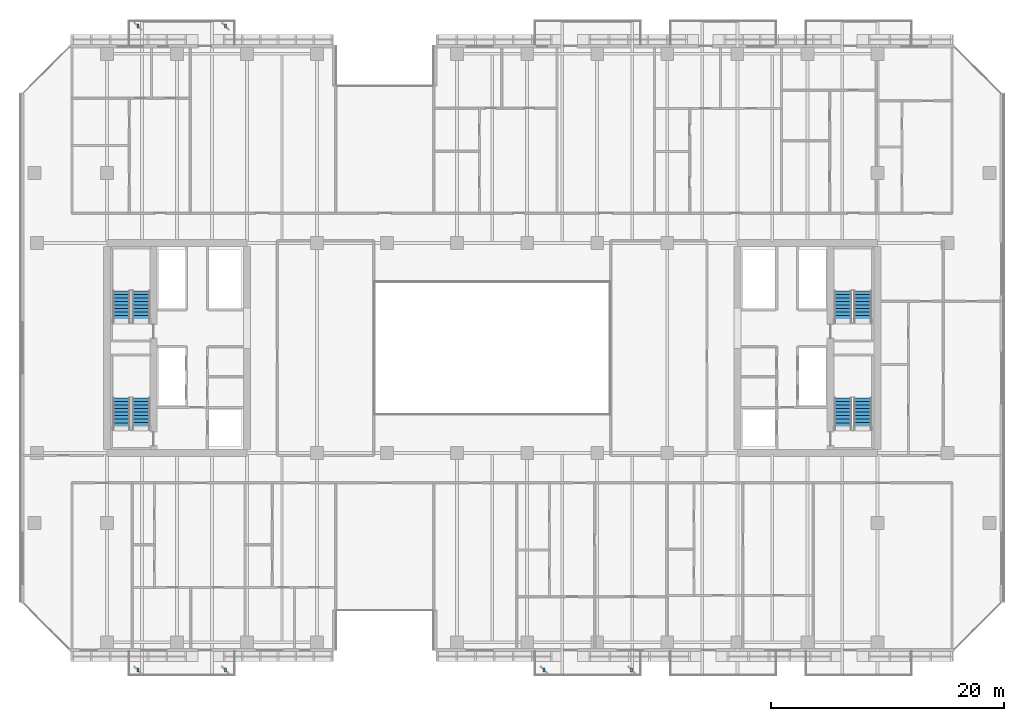
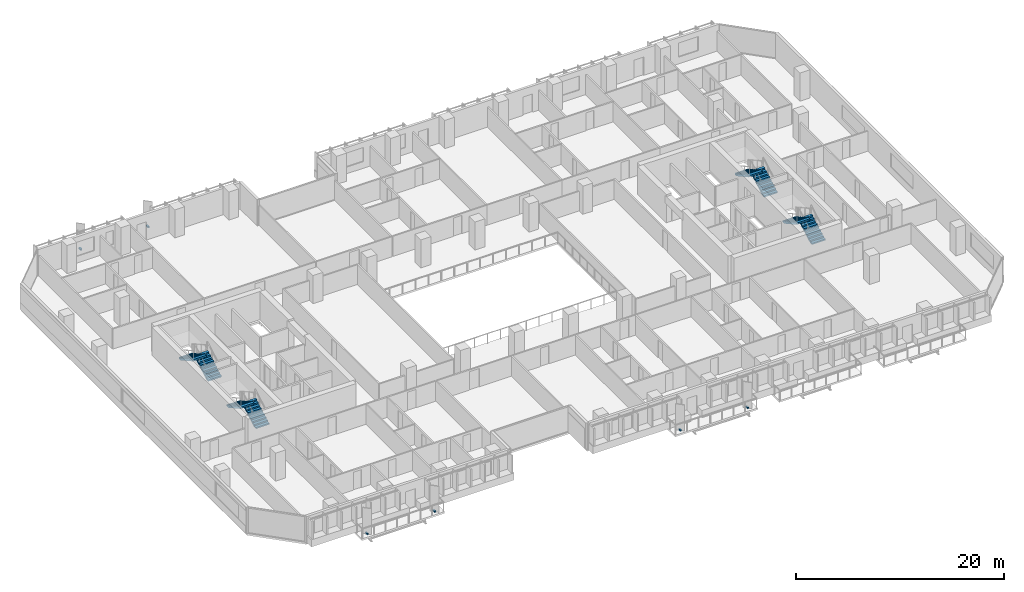
# One storey, part 25 of 34: 8 stair flights, 6 discrete accessories, 4 elements without a shape of their own.
"""IFC4 building model written with IfcOpenShell, lengths in metres."""

from ifc_helpers import new_model, si_unit, direction, frame, origin, origin_2d, place, context, subcontext, project, spatial, polyline, rectangle, outline, extrude, material, type_object, element, aggregate, save


model = new_model("IFC4")

# Units and contexts
model_context = context("Model", 3, precision=1e-05, world=origin(), true_north=direction((0.0, 1.0)))
body_context = subcontext(model_context, "Body", "Model", "MODEL_VIEW")
ifc_project = project(units=[si_unit("LENGTHUNIT", "METRE"), si_unit("AREAUNIT", "SQUARE_METRE"), si_unit("VOLUMEUNIT", "CUBIC_METRE"), si_unit("PLANEANGLEUNIT", "RADIAN"), si_unit("MASSUNIT", "GRAM", prefix="KILO")], contexts=[model_context])

# Site, building, storey
site_placement = place(None, origin())
site = spatial("IfcSite", under=ifc_project, at=site_placement, CompositionType="ELEMENT")
building_placement = place(site_placement, origin())
building = spatial("IfcBuilding", under=site, at=building_placement, Name="Tanjung Sevakor Pilgrim Tower", CompositionType="ELEMENT")
storey_placement = place(building_placement, frame((0.0, 0.0, 55.43994140625)))
storey = spatial("IfcBuildingStorey", under=building, at=storey_placement, Name="L15", CompositionType="ELEMENT", Elevation=55.43994140625)

# Stair, stair flights
ifc_material_1 = material(Name="Concrete C40/50", Category="concrete")
stair_type = type_object("IfcStairType", Name="STAIR-ST-CR150", PredefinedType="HALF_TURN_STAIR", material=ifc_material_1)
stair_1_placement = place(storey_placement, origin())
stair_1 = element("IfcStair", 1, at=stair_1_placement, inside=storey, type_object=stair_type, Name="L15 West Core Exit Stair 1", PredefinedType="HALF_TURN_STAIR")
ifc_material_2 = material(Name="Concrete C40/50", Category="concrete")
stair_flight_type = type_object("IfcStairFlightType", Name="FLIGHT-ST-CR150", PredefinedType="STRAIGHT", material=ifc_material_2)
stair_flight_1_placement = place(storey_placement, frame((26.949951171875, 26.60009765625, 0.0), z_axis=(0.0, 0.0, 1.0), x_axis=(0.0, 1.0, 0.0)))
stair_flight_1 = element("IfcStairFlight", 2, at=stair_flight_1_placement, type_object=stair_flight_type, Name="TS-W1 flight 1", NumberOfRisers=10, NumberOfTreads=9, PredefinedType="STRAIGHT", RiserHeight=0.165, TreadLength=0.3, context=body_context, shape_type="SweptSolid", body=[
    extrude(outline(polyline([(0.0, 0.0), (0.0, 0.1650390625), (0.300048828125, 0.1650390625), (0.300048828125, 0.330078125), (0.60009765625, 0.330078125), (0.60009765625, 0.4951171875), (0.89990234375, 0.4951171875), (0.89990234375, 0.659912109375), (1.199951171875, 0.659912109375), (1.199951171875, 0.824951171875), (1.5, 0.824951171875), (1.5, 0.989990234375), (1.800048828125, 0.989990234375), (1.800048828125, 1.155029296875), (2.10009765625, 1.155029296875), (2.10009765625, 1.320068359375), (2.39990234375, 1.320068359375), (2.39990234375, 1.485107421875), (2.699951171875, 1.485107421875), (2.699951171875, 1.64990234375), (2.699951171875, 1.302490234375), (0.331787109375, 0.0), (0.0, 0.0)])), frame((0.0, 0.75, 0.0), z_axis=(0.0, -1.0, 0.0), x_axis=(1.0, 0.0, 0.0)), (0.0, 0.0, 1.0), 1.5),
])
stair_flight_2_placement = place(storey_placement, frame((25.25, 29.300048828125, 1.650146484375), z_axis=(0.0, 0.0, 1.0), x_axis=(0.0, -1.0, 0.0)))
stair_flight_2 = element("IfcStairFlight", 3, at=stair_flight_2_placement, type_object=stair_flight_type, Name="TS-W1 flight 2", NumberOfRisers=10, NumberOfTreads=9, PredefinedType="STRAIGHT", RiserHeight=0.165, TreadLength=0.3, context=body_context, shape_type="SweptSolid", body=[
    extrude(outline(polyline([(0.0, 0.0), (0.0, 0.1650390625), (0.300048828125, 0.1650390625), (0.300048828125, 0.330078125), (0.60009765625, 0.330078125), (0.60009765625, 0.4951171875), (0.89990234375, 0.4951171875), (0.89990234375, 0.659912109375), (1.199951171875, 0.659912109375), (1.199951171875, 0.824951171875), (1.5, 0.824951171875), (1.5, 0.989990234375), (1.800048828125, 0.989990234375), (1.800048828125, 1.155029296875), (2.10009765625, 1.155029296875), (2.10009765625, 1.320068359375), (2.39990234375, 1.320068359375), (2.39990234375, 1.485107421875), (2.699951171875, 1.485107421875), (2.699951171875, 1.64990234375), (2.699951171875, 1.302490234375), (0.331787109375, 0.0), (0.0, 0.0)])), frame((0.0, 0.75, 0.0), z_axis=(0.0, -1.0, 0.0), x_axis=(1.0, 0.0, 0.0)), (0.0, 0.0, 1.0), 1.5),
])
aggregate(stair_1, [stair_flight_1, stair_flight_2])

stair_2_placement = place(storey_placement, origin())
stair_2 = element("IfcStair", 4, at=stair_2_placement, inside=storey, type_object=stair_type, Name="L15 West Core Exit Stair 2", PredefinedType="HALF_TURN_STAIR")
stair_flight_3_placement = place(storey_placement, frame((26.949951171875, 35.800048828125, 0.0), z_axis=(0.0, 0.0, 1.0), x_axis=(0.0, 1.0, 0.0)))
stair_flight_3 = element("IfcStairFlight", 5, at=stair_flight_3_placement, type_object=stair_flight_type, Name="TS-W2 flight 1", NumberOfRisers=10, NumberOfTreads=9, PredefinedType="STRAIGHT", RiserHeight=0.165, TreadLength=0.3, context=body_context, shape_type="SweptSolid", body=[
    extrude(outline(polyline([(0.0, 0.0), (0.0, 0.1650390625), (0.300048828125, 0.1650390625), (0.300048828125, 0.330078125), (0.60009765625, 0.330078125), (0.60009765625, 0.4951171875), (0.89990234375, 0.4951171875), (0.89990234375, 0.659912109375), (1.199951171875, 0.659912109375), (1.199951171875, 0.824951171875), (1.5, 0.824951171875), (1.5, 0.989990234375), (1.800048828125, 0.989990234375), (1.800048828125, 1.155029296875), (2.10009765625, 1.155029296875), (2.10009765625, 1.320068359375), (2.39990234375, 1.320068359375), (2.39990234375, 1.485107421875), (2.699951171875, 1.485107421875), (2.699951171875, 1.64990234375), (2.699951171875, 1.302490234375), (0.331787109375, 0.0), (0.0, 0.0)])), frame((0.0, 0.75, 0.0), z_axis=(0.0, -1.0, 0.0), x_axis=(1.0, 0.0, 0.0)), (0.0, 0.0, 1.0), 1.5),
])
stair_flight_4_placement = place(storey_placement, frame((25.25, 38.5, 1.650146484375), z_axis=(0.0, 0.0, 1.0), x_axis=(0.0, -1.0, 0.0)))
stair_flight_4 = element("IfcStairFlight", 6, at=stair_flight_4_placement, type_object=stair_flight_type, Name="TS-W2 flight 2", NumberOfRisers=10, NumberOfTreads=9, PredefinedType="STRAIGHT", RiserHeight=0.165, TreadLength=0.3, context=body_context, shape_type="SweptSolid", body=[
    extrude(outline(polyline([(0.0, 0.0), (0.0, 0.1650390625), (0.300048828125, 0.1650390625), (0.300048828125, 0.330078125), (0.60009765625, 0.330078125), (0.60009765625, 0.4951171875), (0.89990234375, 0.4951171875), (0.89990234375, 0.659912109375), (1.199951171875, 0.659912109375), (1.199951171875, 0.824951171875), (1.5, 0.824951171875), (1.5, 0.989990234375), (1.800048828125, 0.989990234375), (1.800048828125, 1.155029296875), (2.10009765625, 1.155029296875), (2.10009765625, 1.320068359375), (2.39990234375, 1.320068359375), (2.39990234375, 1.485107421875), (2.699951171875, 1.485107421875), (2.699951171875, 1.64990234375), (2.699951171875, 1.302490234375), (0.331787109375, 0.0), (0.0, 0.0)])), frame((0.0, 0.75, 0.0), z_axis=(0.0, -1.0, 0.0), x_axis=(1.0, 0.0, 0.0)), (0.0, 0.0, 1.0), 1.5),
])
aggregate(stair_2, [stair_flight_3, stair_flight_4])

stair_3_placement = place(storey_placement, origin())
stair_3 = element("IfcStair", 7, at=stair_3_placement, inside=storey, type_object=stair_type, Name="L15 East Core Exit Stair 1", PredefinedType="HALF_TURN_STAIR")
stair_flight_5_placement = place(storey_placement, frame((88.75, 26.60009765625, 0.0), z_axis=(0.0, 0.0, 1.0), x_axis=(0.0, 1.0, 0.0)))
stair_flight_5 = element("IfcStairFlight", 8, at=stair_flight_5_placement, type_object=stair_flight_type, Name="TS-E1 flight 1", NumberOfRisers=10, NumberOfTreads=9, PredefinedType="STRAIGHT", RiserHeight=0.165, TreadLength=0.3, context=body_context, shape_type="SweptSolid", body=[
    extrude(outline(polyline([(0.0, 0.0), (0.0, 0.1650390625), (0.300048828125, 0.1650390625), (0.300048828125, 0.330078125), (0.60009765625, 0.330078125), (0.60009765625, 0.4951171875), (0.89990234375, 0.4951171875), (0.89990234375, 0.659912109375), (1.199951171875, 0.659912109375), (1.199951171875, 0.824951171875), (1.5, 0.824951171875), (1.5, 0.989990234375), (1.800048828125, 0.989990234375), (1.800048828125, 1.155029296875), (2.10009765625, 1.155029296875), (2.10009765625, 1.320068359375), (2.39990234375, 1.320068359375), (2.39990234375, 1.485107421875), (2.699951171875, 1.485107421875), (2.699951171875, 1.64990234375), (2.699951171875, 1.302490234375), (0.331787109375, 0.0), (0.0, 0.0)])), frame((0.0, 0.75, 0.0), z_axis=(0.0, -1.0, 0.0), x_axis=(1.0, 0.0, 0.0)), (0.0, 0.0, 1.0), 1.5),
])
stair_flight_6_placement = place(storey_placement, frame((87.050048828125, 29.300048828125, 1.650146484375), z_axis=(0.0, 0.0, 1.0), x_axis=(0.0, -1.0, 0.0)))
stair_flight_6 = element("IfcStairFlight", 9, at=stair_flight_6_placement, type_object=stair_flight_type, Name="TS-E1 flight 2", NumberOfRisers=10, NumberOfTreads=9, PredefinedType="STRAIGHT", RiserHeight=0.165, TreadLength=0.3, context=body_context, shape_type="SweptSolid", body=[
    extrude(outline(polyline([(0.0, 0.0), (0.0, 0.1650390625), (0.300048828125, 0.1650390625), (0.300048828125, 0.330078125), (0.60009765625, 0.330078125), (0.60009765625, 0.4951171875), (0.89990234375, 0.4951171875), (0.89990234375, 0.659912109375), (1.199951171875, 0.659912109375), (1.199951171875, 0.824951171875), (1.5, 0.824951171875), (1.5, 0.989990234375), (1.800048828125, 0.989990234375), (1.800048828125, 1.155029296875), (2.10009765625, 1.155029296875), (2.10009765625, 1.320068359375), (2.39990234375, 1.320068359375), (2.39990234375, 1.485107421875), (2.699951171875, 1.485107421875), (2.699951171875, 1.64990234375), (2.699951171875, 1.302490234375), (0.331787109375, 0.0), (0.0, 0.0)])), frame((0.0, 0.75, 0.0), z_axis=(0.0, -1.0, 0.0), x_axis=(1.0, 0.0, 0.0)), (0.0, 0.0, 1.0), 1.5),
])
aggregate(stair_3, [stair_flight_5, stair_flight_6])

stair_4_placement = place(storey_placement, origin())
stair_4 = element("IfcStair", 10, at=stair_4_placement, inside=storey, type_object=stair_type, Name="L15 East Core Exit Stair 2", PredefinedType="HALF_TURN_STAIR")
stair_flight_7_placement = place(storey_placement, frame((88.75, 35.800048828125, 0.0), z_axis=(0.0, 0.0, 1.0), x_axis=(0.0, 1.0, 0.0)))
stair_flight_7 = element("IfcStairFlight", 11, at=stair_flight_7_placement, type_object=stair_flight_type, Name="TS-E2 flight 1", NumberOfRisers=10, NumberOfTreads=9, PredefinedType="STRAIGHT", RiserHeight=0.165, TreadLength=0.3, context=body_context, shape_type="SweptSolid", body=[
    extrude(outline(polyline([(0.0, 0.0), (0.0, 0.1650390625), (0.300048828125, 0.1650390625), (0.300048828125, 0.330078125), (0.60009765625, 0.330078125), (0.60009765625, 0.4951171875), (0.89990234375, 0.4951171875), (0.89990234375, 0.659912109375), (1.199951171875, 0.659912109375), (1.199951171875, 0.824951171875), (1.5, 0.824951171875), (1.5, 0.989990234375), (1.800048828125, 0.989990234375), (1.800048828125, 1.155029296875), (2.10009765625, 1.155029296875), (2.10009765625, 1.320068359375), (2.39990234375, 1.320068359375), (2.39990234375, 1.485107421875), (2.699951171875, 1.485107421875), (2.699951171875, 1.64990234375), (2.699951171875, 1.302490234375), (0.331787109375, 0.0), (0.0, 0.0)])), frame((0.0, 0.75, 0.0), z_axis=(0.0, -1.0, 0.0), x_axis=(1.0, 0.0, 0.0)), (0.0, 0.0, 1.0), 1.5),
])
stair_flight_8_placement = place(storey_placement, frame((87.050048828125, 38.5, 1.650146484375), z_axis=(0.0, 0.0, 1.0), x_axis=(0.0, -1.0, 0.0)))
stair_flight_8 = element("IfcStairFlight", 12, at=stair_flight_8_placement, type_object=stair_flight_type, Name="TS-E2 flight 2", NumberOfRisers=10, NumberOfTreads=9, PredefinedType="STRAIGHT", RiserHeight=0.165, TreadLength=0.3, context=body_context, shape_type="SweptSolid", body=[
    extrude(outline(polyline([(0.0, 0.0), (0.0, 0.1650390625), (0.300048828125, 0.1650390625), (0.300048828125, 0.330078125), (0.60009765625, 0.330078125), (0.60009765625, 0.4951171875), (0.89990234375, 0.4951171875), (0.89990234375, 0.659912109375), (1.199951171875, 0.659912109375), (1.199951171875, 0.824951171875), (1.5, 0.824951171875), (1.5, 0.989990234375), (1.800048828125, 0.989990234375), (1.800048828125, 1.155029296875), (2.10009765625, 1.155029296875), (2.10009765625, 1.320068359375), (2.39990234375, 1.320068359375), (2.39990234375, 1.485107421875), (2.699951171875, 1.485107421875), (2.699951171875, 1.64990234375), (2.699951171875, 1.302490234375), (0.331787109375, 0.0), (0.0, 0.0)])), frame((0.0, 0.75, 0.0), z_axis=(0.0, -1.0, 0.0), x_axis=(1.0, 0.0, 0.0)), (0.0, 0.0, 1.0), 1.5),
])
aggregate(stair_4, [stair_flight_7, stair_flight_8])

# Discrete accessories
ifc_material_3 = material(Name="Steel S355J2", Category="steel")
discrete_accessory_type = type_object("IfcDiscreteAccessoryType", Name="ACC-BRACKET-STL", PredefinedType="BRACKET", material=ifc_material_3)
for number, where, z_axis, x_axis, name in (
    (13, (26.64990234375, 6.02001953125, -0.0400390625), (0.0, 0.0, 1.0), (1.0, 0.0, 0.0), "L15 Fin Support Bracket 0017"),
    (14, (34.14990234375, 6.02001953125, -0.0400390625), (0.0, 0.0, 1.0), (1.0, 0.0, 0.0), "L15 Fin Support Bracket 0018"),
    (15, (26.64990234375, 61.179931640625, -0.0400390625), (0.0, 0.0, 1.0), (1.0, 0.0, 0.0), "L15 Fin Support Bracket 0019"),
    (16, (34.14990234375, 61.179931640625, -0.0400390625), (0.0, 0.0, 1.0), (1.0, 0.0, 0.0), "L15 Fin Support Bracket 0020"),
    (17, (61.449951171875, 6.02001953125, -0.0400390625), (0.0, 0.0, 1.0), (1.0, 0.0, 0.0), "L15 Fin Support Bracket 0021"),
    (18, (68.949951171875, 6.02001953125, -0.0400390625), (0.0, 0.0, 1.0), (1.0, 0.0, 0.0), "L15 Fin Support Bracket 0022"),
):
    element("IfcDiscreteAccessory", number, at=place(storey_placement, frame(where, z_axis=z_axis, x_axis=x_axis)), inside=storey, type_object=discrete_accessory_type, Name=name, PredefinedType="BRACKET", context=body_context, shape_type="SweptSolid", body=[
        extrude(rectangle(XDim=0.179931640625, YDim=0.360107421875, at=origin_2d()), origin(), (0.0, 0.0, 1.0), 0.179931640625),
    ])

save(model, "model.ifc")
